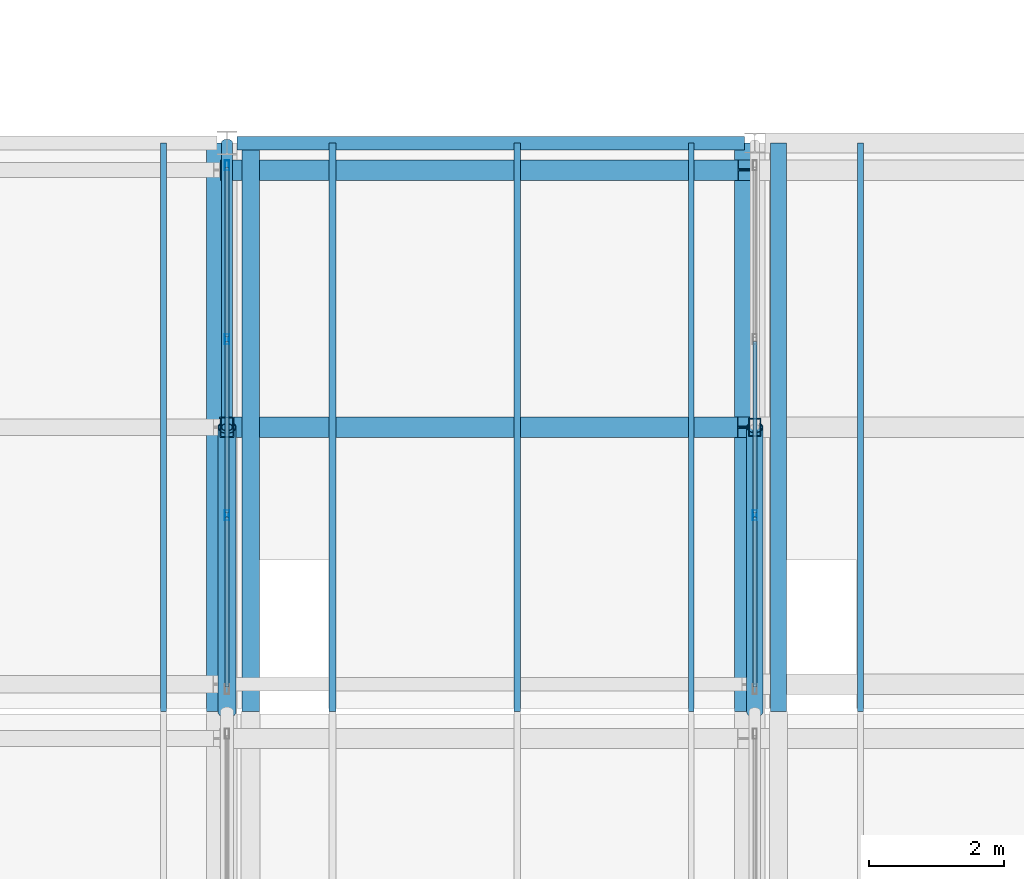
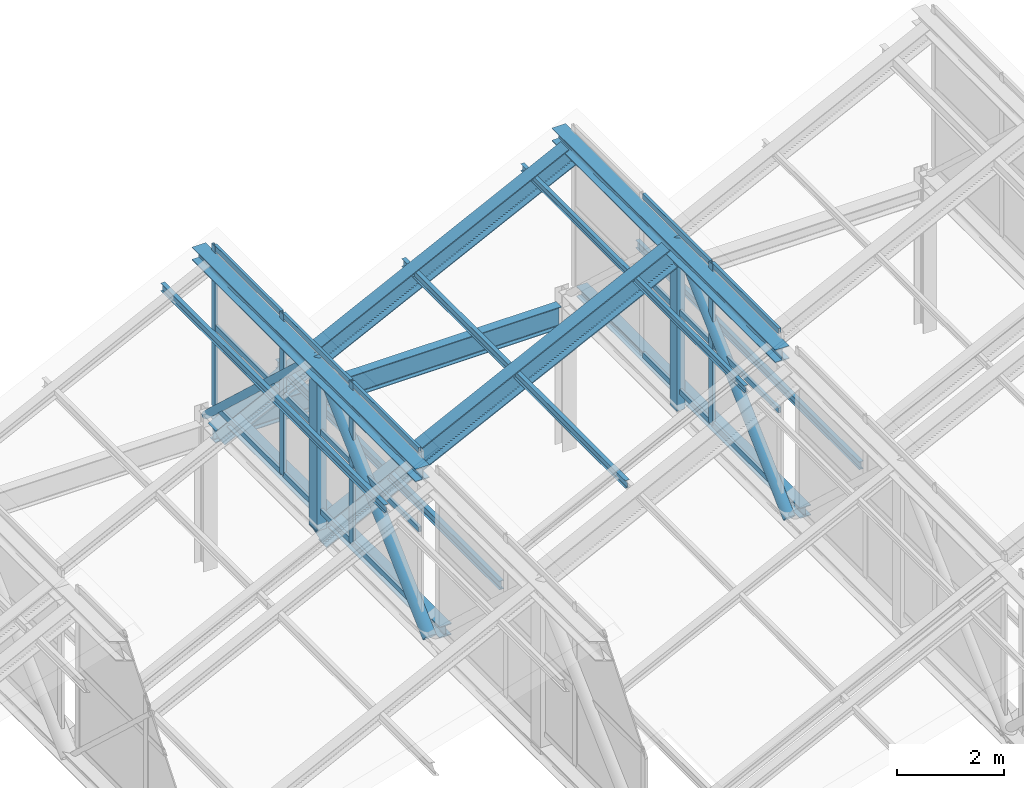
# One storey, part 40 of 101: 35 members, 1 beam, 2 elements without a shape of their own.
"""IFC4 building model written with IfcOpenShell, lengths in metres."""

from ifc_helpers import new_model, si_unit, direction, frame, origin, origin_2d, place, context, subcontext, project, spatial, hollow_rectangle, hollow_circle, i_section, extrude, material, layer, layer_set, material_profile, profile_set, type_object, element, aggregate, save


model = new_model("IFC4")

# Units and contexts
model_context = context("Model", 3, precision=1e-05, world=origin(), true_north=direction((0.0, 1.0)))
body_context = subcontext(model_context, "Body", "Model", "MODEL_VIEW")
ifc_project = project(units=[si_unit("LENGTHUNIT", "METRE"), si_unit("AREAUNIT", "SQUARE_METRE"), si_unit("VOLUMEUNIT", "CUBIC_METRE"), si_unit("PLANEANGLEUNIT", "RADIAN"), si_unit("MASSUNIT", "GRAM", prefix="KILO")], contexts=[model_context])

# Site, building, storey
site_placement = place(None, origin())
site = spatial("IfcSite", under=ifc_project, at=site_placement, CompositionType="ELEMENT")
building_placement = place(site_placement, origin())
building = spatial("IfcBuilding", under=site, at=building_placement, Name="Zizhar Promenade General Hospital", CompositionType="ELEMENT")
storey_placement = place(building_placement, frame((0.0, 0.0, 14.39990234375)))
storey = spatial("IfcBuildingStorey", under=building, at=storey_placement, Name="L03", CompositionType="ELEMENT", Elevation=14.39990234375)

# Beam
ifc_material_1 = material(Name="Steel S355", Category="steel")
ifc_material_profile_1 = material_profile(ifc_material_1, i_section(OverallWidth=0.199951171875, OverallDepth=0.5, WebThickness=0.01025390625, FlangeThickness=0.01611328125, FilletRadius=0.02099609375, at=origin_2d()))
ifc_profile_set_1 = profile_set([ifc_material_profile_1], Name="Steel S355")
beam_type = type_object("IfcBeamType", Name="BM-STL-IPE500", PredefinedType="BEAM", material=ifc_profile_set_1)
beam_placement = place(storey_placement, frame((93.75, 50.39990234375, 3.06005859375), z_axis=(1.0, 0.0, 0.0), x_axis=(0.0, 1.0, 0.0)))
element("IfcBeam", 1, at=beam_placement, inside=storey, type_object=beam_type, Name="Grid Beam X L03 (12-6)", PredefinedType="BEAM", context=body_context, shape_type="SweptSolid", body=[
    extrude(i_section(OverallWidth=0.199951171875, OverallDepth=0.5, WebThickness=0.01025390625, FlangeThickness=0.01611328125, FilletRadius=0.02099609375, at=origin_2d()), origin(), (0.0, 0.0, 1.0), 7.5),
])

# Curtain wall, members
ifc_material_2 = material(Name="Anodised aluminium 6063-T6 and low-E glass", Category="aluminium")
ifc_layer = layer(ifc_material_2, 0.159912109375)
ifc_layer_set = layer_set([ifc_layer], Name="Anodised aluminium 6063-T6 and low-E glass")
curtain_wall_type = type_object("IfcCurtainWallType", Name="CW-SAW-NL3", PredefinedType="NOTDEFINED", material=ifc_layer_set)
curtain_wall_1_placement = place(storey_placement, origin())
curtain_wall_1 = element("IfcCurtainWall", 2, at=curtain_wall_1_placement, inside=storey, type_object=curtain_wall_type, Name="Sawtooth Clerestory Light B3-S3", PredefinedType="NOTDEFINED")
ifc_material_3 = material(Name="Anodised aluminium 6063-T6", Category="aluminium")
ifc_material_profile_2 = material_profile(ifc_material_3, hollow_rectangle(XDim=0.06005859375, YDim=0.14990234375, WallThickness=0.00390625, at=origin_2d()))
ifc_profile_set_2 = profile_set([ifc_material_profile_2], Name="Anodised aluminium 6063-T6")
member_type_1 = type_object("IfcMemberType", Name="CWM-ALU-150x60", PredefinedType="MULLION", material=ifc_profile_set_2)
member_1_placement = place(storey_placement, frame((93.60009765625, 44.89990234375, 3.85009765625), z_axis=(0.0, 0.0, 1.0), x_axis=(-1.0, 0.0, 0.0)))
member_1 = element("IfcMember", 3, at=member_1_placement, type_object=member_type_1, Name="CW-05 mullion 2", PredefinedType="MULLION", context=body_context, shape_type="SweptSolid", body=[
    extrude(hollow_rectangle(XDim=0.06005859375, YDim=0.14990234375, WallThickness=0.00390625, at=origin_2d()), origin(), (0.0, 0.0, 1.0), 3.699951171875),
])
member_2_placement = place(storey_placement, frame((93.60009765625, 47.5, 3.85009765625), z_axis=(0.0, 0.0, 1.0), x_axis=(-1.0, 0.0, 0.0)))
member_2 = element("IfcMember", 4, at=member_2_placement, type_object=member_type_1, Name="CW-05 mullion 3", PredefinedType="MULLION", context=body_context, shape_type="SweptSolid", body=[
    extrude(hollow_rectangle(XDim=0.06005859375, YDim=0.14990234375, WallThickness=0.00390625, at=origin_2d()), origin(), (0.0, 0.0, 1.0), 3.699951171875),
])
member_3_placement = place(storey_placement, frame((93.60009765625, 50.070068359375, 3.85009765625), z_axis=(0.0, 0.0, 1.0), x_axis=(-1.0, 0.0, 0.0)))
member_3 = element("IfcMember", 5, at=member_3_placement, type_object=member_type_1, Name="CW-05 mullion 4", PredefinedType="MULLION", context=body_context, shape_type="SweptSolid", body=[
    extrude(hollow_rectangle(XDim=0.06005859375, YDim=0.14990234375, WallThickness=0.00390625, at=origin_2d()), origin(), (0.0, 0.0, 1.0), 3.699951171875),
])

# Curtain wall, member
curtain_wall_2_placement = place(storey_placement, origin())
curtain_wall_2 = element("IfcCurtainWall", 6, at=curtain_wall_2_placement, inside=storey, type_object=curtain_wall_type, Name="Sawtooth Clerestory Light B4-S3", PredefinedType="NOTDEFINED")
member_4_placement = place(storey_placement, frame((101.39990234375, 44.89990234375, 3.85009765625), z_axis=(0.0, 0.0, 1.0), x_axis=(-1.0, 0.0, 0.0)))
member_4 = element("IfcMember", 7, at=member_4_placement, type_object=member_type_1, Name="CW-05 mullion 2", PredefinedType="MULLION", context=body_context, shape_type="SweptSolid", body=[
    extrude(hollow_rectangle(XDim=0.06005859375, YDim=0.14990234375, WallThickness=0.00390625, at=origin_2d()), origin(), (0.0, 0.0, 1.0), 3.699951171875),
])

# Member
ifc_material_4 = material(Name="Anodised aluminium 6063-T6", Category="aluminium")
ifc_material_profile_3 = material_profile(ifc_material_4, hollow_rectangle(XDim=0.06005859375, YDim=0.1201171875, WallThickness=0.00390625, at=origin_2d()))
ifc_profile_set_3 = profile_set([ifc_material_profile_3], Name="Anodised aluminium 6063-T6")
member_type_2 = type_object("IfcMemberType", Name="CWT-ALU-120x60", PredefinedType="USERDEFINED", material=ifc_profile_set_3)
member_5_placement = place(storey_placement, frame((93.60009765625, 42.360107421875, 3.880126953125), z_axis=(0.0, 1.0, 0.0), x_axis=(-1.0, 0.0, 0.0)))
member_5 = element("IfcMember", 8, at=member_5_placement, type_object=member_type_2, Name="CW-05 transom 1.1", ObjectType="TRANSOM", PredefinedType="USERDEFINED", context=body_context, shape_type="SweptSolid", body=[
    extrude(hollow_rectangle(XDim=0.06005859375, YDim=0.1201171875, WallThickness=0.00390625, at=origin_2d()), origin(), (0.0, 0.0, 1.0), 2.510009765625),
])

member_6_placement = place(storey_placement, frame((93.60009765625, 42.360107421875, 5.7001953125), z_axis=(0.0, 1.0, 0.0), x_axis=(-1.0, 0.0, 0.0)))
member_6 = element("IfcMember", 9, at=member_6_placement, type_object=member_type_2, Name="CW-05 transom 1.2", ObjectType="TRANSOM", PredefinedType="USERDEFINED", context=body_context, shape_type="SweptSolid", body=[
    extrude(hollow_rectangle(XDim=0.06005859375, YDim=0.1201171875, WallThickness=0.00390625, at=origin_2d()), origin(), (0.0, 0.0, 1.0), 2.510009765625),
])

member_7_placement = place(storey_placement, frame((93.60009765625, 42.360107421875, 7.52001953125), z_axis=(0.0, 1.0, 0.0), x_axis=(-1.0, 0.0, 0.0)))
member_7 = element("IfcMember", 10, at=member_7_placement, type_object=member_type_2, Name="CW-05 transom 1.3", ObjectType="TRANSOM", PredefinedType="USERDEFINED", context=body_context, shape_type="SweptSolid", body=[
    extrude(hollow_rectangle(XDim=0.06005859375, YDim=0.1201171875, WallThickness=0.00390625, at=origin_2d()), origin(), (0.0, 0.0, 1.0), 2.510009765625),
])

member_8_placement = place(storey_placement, frame((93.60009765625, 44.929931640625, 3.880126953125), z_axis=(0.0, 1.0, 0.0), x_axis=(-1.0, 0.0, 0.0)))
member_8 = element("IfcMember", 11, at=member_8_placement, type_object=member_type_2, Name="CW-05 transom 2.1", ObjectType="TRANSOM", PredefinedType="USERDEFINED", context=body_context, shape_type="SweptSolid", body=[
    extrude(hollow_rectangle(XDim=0.06005859375, YDim=0.1201171875, WallThickness=0.00390625, at=origin_2d()), origin(), (0.0, 0.0, 1.0), 2.5400390625),
])

member_9_placement = place(storey_placement, frame((93.60009765625, 44.929931640625, 5.7001953125), z_axis=(0.0, 1.0, 0.0), x_axis=(-1.0, 0.0, 0.0)))
member_9 = element("IfcMember", 12, at=member_9_placement, type_object=member_type_2, Name="CW-05 transom 2.2", ObjectType="TRANSOM", PredefinedType="USERDEFINED", context=body_context, shape_type="SweptSolid", body=[
    extrude(hollow_rectangle(XDim=0.06005859375, YDim=0.1201171875, WallThickness=0.00390625, at=origin_2d()), origin(), (0.0, 0.0, 1.0), 2.5400390625),
])

member_10_placement = place(storey_placement, frame((93.60009765625, 44.929931640625, 7.52001953125), z_axis=(0.0, 1.0, 0.0), x_axis=(-1.0, 0.0, 0.0)))
member_10 = element("IfcMember", 13, at=member_10_placement, type_object=member_type_2, Name="CW-05 transom 2.3", ObjectType="TRANSOM", PredefinedType="USERDEFINED", context=body_context, shape_type="SweptSolid", body=[
    extrude(hollow_rectangle(XDim=0.06005859375, YDim=0.1201171875, WallThickness=0.00390625, at=origin_2d()), origin(), (0.0, 0.0, 1.0), 2.5400390625),
])

member_11_placement = place(storey_placement, frame((93.60009765625, 47.530029296875, 3.880126953125), z_axis=(0.0, 1.0, 0.0), x_axis=(-1.0, 0.0, 0.0)))
member_11 = element("IfcMember", 14, at=member_11_placement, type_object=member_type_2, Name="CW-05 transom 3.1", ObjectType="TRANSOM", PredefinedType="USERDEFINED", context=body_context, shape_type="SweptSolid", body=[
    extrude(hollow_rectangle(XDim=0.06005859375, YDim=0.1201171875, WallThickness=0.00390625, at=origin_2d()), origin(), (0.0, 0.0, 1.0), 2.510009765625),
])

member_12_placement = place(storey_placement, frame((93.60009765625, 47.530029296875, 5.7001953125), z_axis=(0.0, 1.0, 0.0), x_axis=(-1.0, 0.0, 0.0)))
member_12 = element("IfcMember", 15, at=member_12_placement, type_object=member_type_2, Name="CW-05 transom 3.2", ObjectType="TRANSOM", PredefinedType="USERDEFINED", context=body_context, shape_type="SweptSolid", body=[
    extrude(hollow_rectangle(XDim=0.06005859375, YDim=0.1201171875, WallThickness=0.00390625, at=origin_2d()), origin(), (0.0, 0.0, 1.0), 2.510009765625),
])

member_13_placement = place(storey_placement, frame((93.60009765625, 47.530029296875, 7.52001953125), z_axis=(0.0, 1.0, 0.0), x_axis=(-1.0, 0.0, 0.0)))
member_13 = element("IfcMember", 16, at=member_13_placement, type_object=member_type_2, Name="CW-05 transom 3.3", ObjectType="TRANSOM", PredefinedType="USERDEFINED", context=body_context, shape_type="SweptSolid", body=[
    extrude(hollow_rectangle(XDim=0.06005859375, YDim=0.1201171875, WallThickness=0.00390625, at=origin_2d()), origin(), (0.0, 0.0, 1.0), 2.510009765625),
])

aggregate(curtain_wall_1, [member_1, member_2, member_3, member_5, member_6, member_7, member_8, member_9, member_10, member_11, member_12, member_13])

member_14_placement = place(storey_placement, frame((101.39990234375, 42.360107421875, 3.880126953125), z_axis=(0.0, 1.0, 0.0), x_axis=(-1.0, 0.0, 0.0)))
member_14 = element("IfcMember", 17, at=member_14_placement, type_object=member_type_2, Name="CW-05 transom 1.1", ObjectType="TRANSOM", PredefinedType="USERDEFINED", context=body_context, shape_type="SweptSolid", body=[
    extrude(hollow_rectangle(XDim=0.06005859375, YDim=0.1201171875, WallThickness=0.00390625, at=origin_2d()), origin(), (0.0, 0.0, 1.0), 2.510009765625),
])

member_15_placement = place(storey_placement, frame((101.39990234375, 42.360107421875, 5.7001953125), z_axis=(0.0, 1.0, 0.0), x_axis=(-1.0, 0.0, 0.0)))
member_15 = element("IfcMember", 18, at=member_15_placement, type_object=member_type_2, Name="CW-05 transom 1.2", ObjectType="TRANSOM", PredefinedType="USERDEFINED", context=body_context, shape_type="SweptSolid", body=[
    extrude(hollow_rectangle(XDim=0.06005859375, YDim=0.1201171875, WallThickness=0.00390625, at=origin_2d()), origin(), (0.0, 0.0, 1.0), 2.510009765625),
])

member_16_placement = place(storey_placement, frame((101.39990234375, 42.360107421875, 7.52001953125), z_axis=(0.0, 1.0, 0.0), x_axis=(-1.0, 0.0, 0.0)))
member_16 = element("IfcMember", 19, at=member_16_placement, type_object=member_type_2, Name="CW-05 transom 1.3", ObjectType="TRANSOM", PredefinedType="USERDEFINED", context=body_context, shape_type="SweptSolid", body=[
    extrude(hollow_rectangle(XDim=0.06005859375, YDim=0.1201171875, WallThickness=0.00390625, at=origin_2d()), origin(), (0.0, 0.0, 1.0), 2.510009765625),
])

member_17_placement = place(storey_placement, frame((101.39990234375, 44.929931640625, 3.880126953125), z_axis=(0.0, 1.0, 0.0), x_axis=(-1.0, 0.0, 0.0)))
member_17 = element("IfcMember", 20, at=member_17_placement, type_object=member_type_2, Name="CW-05 transom 2.1", ObjectType="TRANSOM", PredefinedType="USERDEFINED", context=body_context, shape_type="SweptSolid", body=[
    extrude(hollow_rectangle(XDim=0.06005859375, YDim=0.1201171875, WallThickness=0.00390625, at=origin_2d()), origin(), (0.0, 0.0, 1.0), 2.5400390625),
])

member_18_placement = place(storey_placement, frame((101.39990234375, 44.929931640625, 5.7001953125), z_axis=(0.0, 1.0, 0.0), x_axis=(-1.0, 0.0, 0.0)))
member_18 = element("IfcMember", 21, at=member_18_placement, type_object=member_type_2, Name="CW-05 transom 2.2", ObjectType="TRANSOM", PredefinedType="USERDEFINED", context=body_context, shape_type="SweptSolid", body=[
    extrude(hollow_rectangle(XDim=0.06005859375, YDim=0.1201171875, WallThickness=0.00390625, at=origin_2d()), origin(), (0.0, 0.0, 1.0), 2.5400390625),
])

member_19_placement = place(storey_placement, frame((101.39990234375, 44.929931640625, 7.52001953125), z_axis=(0.0, 1.0, 0.0), x_axis=(-1.0, 0.0, 0.0)))
member_19 = element("IfcMember", 22, at=member_19_placement, type_object=member_type_2, Name="CW-05 transom 2.3", ObjectType="TRANSOM", PredefinedType="USERDEFINED", context=body_context, shape_type="SweptSolid", body=[
    extrude(hollow_rectangle(XDim=0.06005859375, YDim=0.1201171875, WallThickness=0.00390625, at=origin_2d()), origin(), (0.0, 0.0, 1.0), 2.5400390625),
])

aggregate(curtain_wall_2, [member_4, member_14, member_15, member_16, member_17, member_18, member_19])

# Members
ifc_material_5 = material(Name="Steel S355", Category="steel")
ifc_material_profile_4 = material_profile(ifc_material_5, i_section(OverallWidth=0.239990234375, OverallDepth=0.239990234375, WebThickness=0.010009765625, FlangeThickness=0.01708984375, FilletRadius=0.02099609375, at=origin_2d()))
ifc_profile_set_4 = profile_set([ifc_material_profile_4], Name="Steel S355")
member_type_3 = type_object("IfcMemberType", Name="MEM-CHORD-HEB240", PredefinedType="CHORD", material=ifc_profile_set_4)
member_20_placement = place(storey_placement, frame((101.75, 42.0, 3.47021484375), z_axis=(0.0, 1.0, 0.0), x_axis=(-1.0, 0.0, 0.0)))
element("IfcMember", 23, at=member_20_placement, inside=storey, type_object=member_type_3, Name="Sawtooth Bay 5 Valley Tie 3", PredefinedType="CHORD", context=body_context, shape_type="SweptSolid", body=[
    extrude(i_section(OverallWidth=0.239990234375, OverallDepth=0.239990234375, WebThickness=0.010009765625, FlangeThickness=0.01708984375, FilletRadius=0.02099609375, at=origin_2d()), origin(), (0.0, 0.0, 1.0), 8.39990234375),
])
ifc_material_6 = material(Name="Steel S355", Category="steel")
ifc_material_profile_5 = material_profile(ifc_material_6, i_section(OverallWidth=0.260009765625, OverallDepth=0.260009765625, WebThickness=0.010009765625, FlangeThickness=0.017578125, FilletRadius=0.02392578125, at=origin_2d()))
ifc_profile_set_5 = profile_set([ifc_material_profile_5], Name="Steel S355")
member_type_4 = type_object("IfcMemberType", Name="MEM-CHORD-HEB260", PredefinedType="CHORD", material=ifc_profile_set_5)
member_21_placement = place(storey_placement, frame((93.949951171875, 42.0, 3.47021484375), z_axis=(0.0, 1.0, 0.0), x_axis=(-1.0, 0.0, 0.0)))
element("IfcMember", 24, at=member_21_placement, inside=storey, type_object=member_type_4, Name="Sawtooth Bay 4 Valley Tie 3", PredefinedType="CHORD", context=body_context, shape_type="SweptSolid", body=[
    extrude(i_section(OverallWidth=0.260009765625, OverallDepth=0.260009765625, WebThickness=0.010009765625, FlangeThickness=0.017578125, FilletRadius=0.02392578125, at=origin_2d()), origin(), (0.0, 0.0, 1.0), 8.39990234375),
])
ifc_material_7 = material(Name="Steel S355", Category="steel")
ifc_material_profile_6 = material_profile(ifc_material_7, i_section(OverallWidth=0.300048828125, OverallDepth=0.300048828125, WebThickness=0.010986328125, FlangeThickness=0.01904296875, FilletRadius=0.027099609375, at=origin_2d()))
ifc_profile_set_6 = profile_set([ifc_material_profile_6], Name="Steel S355")
member_type_5 = type_object("IfcMemberType", Name="MEM-CHORD-HEB300", PredefinedType="CHORD", material=ifc_profile_set_6)
for number, where, z_axis, x_axis, name in (
    (25, (93.449951171875, 42.0, 7.25), (0.0, 1.0, 0.0), (-1.0, 0.0, 0.0), "Sawtooth Bay 3 Ridge Chord 3"),
    (26, (101.25, 42.0, 7.25), (0.0, 1.0, 0.0), (-1.0, 0.0, 0.0), "Sawtooth Bay 4 Ridge Chord 3"),
):
    element("IfcMember", number, at=place(storey_placement, frame(where, z_axis=z_axis, x_axis=x_axis)), inside=storey, type_object=member_type_5, Name=name, PredefinedType="CHORD", context=body_context, shape_type="SweptSolid", body=[
        extrude(i_section(OverallWidth=0.300048828125, OverallDepth=0.300048828125, WebThickness=0.010986328125, FlangeThickness=0.01904296875, FilletRadius=0.027099609375, at=origin_2d()), origin(), (0.0, 0.0, 1.0), 8.39990234375),
    ])
ifc_material_8 = material(Name="Steel S355", Category="steel")
ifc_material_profile_7 = material_profile(ifc_material_8, hollow_circle(Radius=0.084228515625, WallThickness=0.008056640625, at=origin_2d()))
ifc_profile_set_7 = profile_set([ifc_material_profile_7], Name="Steel S355")
member_type_6 = type_object("IfcMemberType", Name="MEM-DIAG-CHS168", PredefinedType="BRACE", material=ifc_profile_set_7)
member_22_placement = place(storey_placement, frame((93.60009765625, 50.39990234375, 3.4501953125), z_axis=(0.0, -0.732798043082, 0.680446197767), x_axis=(1.0, 0.0, 0.0)))
element("IfcMember", 27, at=member_22_placement, inside=storey, type_object=member_type_6, Name="Sawtooth Truss Frame 4 Diagonal B3", PredefinedType="BRACE", context=body_context, shape_type="SweptSolid", body=[
    extrude(hollow_circle(Radius=0.084228515625, WallThickness=0.008056640625, at=origin_2d()), origin(), (0.0, 0.0, 1.0), 5.7314453125),
])
ifc_material_9 = material(Name="Steel S355", Category="steel")
ifc_material_profile_8 = material_profile(ifc_material_9, hollow_circle(Radius=0.122314453125, WallThickness=0.010009765625, at=origin_2d()))
ifc_profile_set_8 = profile_set([ifc_material_profile_8], Name="Steel S355")
member_type_7 = type_object("IfcMemberType", Name="MEM-DIAG-CHS245", PredefinedType="BRACE", material=ifc_profile_set_8)
member_23_placement = place(storey_placement, frame((101.39990234375, 42.0, 3.4501953125), z_axis=(0.0, 0.732798043082, 0.680446197767), x_axis=(-1.0, 0.0, 0.0)))
element("IfcMember", 28, at=member_23_placement, inside=storey, type_object=member_type_7, Name="Sawtooth Truss Frame 5 Diagonal A3", PredefinedType="BRACE", context=body_context, shape_type="SweptSolid", body=[
    extrude(hollow_circle(Radius=0.122314453125, WallThickness=0.010009765625, at=origin_2d()), origin(), (0.0, 0.0, 1.0), 5.7314453125),
])
ifc_material_10 = material(Name="Steel S355", Category="steel")
ifc_material_profile_9 = material_profile(ifc_material_10, hollow_circle(Radius=0.136474609375, WallThickness=0.010009765625, at=origin_2d()))
ifc_profile_set_9 = profile_set([ifc_material_profile_9], Name="Steel S355")
member_type_8 = type_object("IfcMemberType", Name="MEM-DIAG-CHS273", PredefinedType="BRACE", material=ifc_profile_set_9)
member_24_placement = place(storey_placement, frame((93.60009765625, 42.0, 3.4501953125), z_axis=(0.0, 0.732798043082, 0.680446197767), x_axis=(-1.0, 0.0, 0.0)))
element("IfcMember", 29, at=member_24_placement, inside=storey, type_object=member_type_8, Name="Sawtooth Truss Frame 4 Diagonal A3", PredefinedType="BRACE", context=body_context, shape_type="SweptSolid", body=[
    extrude(hollow_circle(Radius=0.136474609375, WallThickness=0.010009765625, at=origin_2d()), origin(), (0.0, 0.0, 1.0), 5.7314453125),
])
ifc_material_11 = material(Name="Steel S355", Category="steel")
ifc_material_profile_10 = material_profile(ifc_material_11, i_section(OverallWidth=0.08203125, OverallDepth=0.159912109375, WebThickness=0.0048828125, FlangeThickness=0.00732421875, FilletRadius=0.009033203125, at=origin_2d()))
ifc_profile_set_10 = profile_set([ifc_material_profile_10], Name="Steel S355")
member_type_9 = type_object("IfcMemberType", Name="MEM-PURL-IPE160", PredefinedType="PURLIN", material=ifc_profile_set_10)
member_25_placement = place(storey_placement, frame((100.464111328125, 42.0, 6.735107421875), z_axis=(0.0, 1.0, 0.0), x_axis=(-1.0, 0.0, 0.0)))
element("IfcMember", 30, at=member_25_placement, inside=storey, type_object=member_type_9, Name="Sawtooth Bay 4 Purlin 3-3", PredefinedType="PURLIN", context=body_context, shape_type="SweptSolid", body=[
    extrude(i_section(OverallWidth=0.08203125, OverallDepth=0.159912109375, WebThickness=0.0048828125, FlangeThickness=0.00732421875, FilletRadius=0.009033203125, at=origin_2d()), origin(), (0.0, 0.0, 1.0), 8.39990234375),
])
ifc_material_12 = material(Name="Steel S355", Category="steel")
ifc_material_profile_11 = material_profile(ifc_material_12, i_section(OverallWidth=0.091064453125, OverallDepth=0.179931640625, WebThickness=0.00537109375, FlangeThickness=0.008056640625, FilletRadius=0.009033203125, at=origin_2d()))
ifc_profile_set_11 = profile_set([ifc_material_profile_11], Name="Steel S355")
member_type_10 = type_object("IfcMemberType", Name="MEM-PURL-IPE180", PredefinedType="PURLIN", material=ifc_profile_set_11)
for number, where, z_axis, x_axis, name in (
    (31, (92.6640625, 42.0, 6.72509765625), (0.0, 1.0, 0.0), (-1.0, 0.0, 0.0), "Sawtooth Bay 3 Purlin 3-3"),
    (32, (97.889892578125, 42.0, 5.45458984375), (0.0, 1.0, 0.0), (-1.0, 0.0, 0.0), "Sawtooth Bay 4 Purlin 3-2"),
    (33, (102.9599609375, 42.0, 4.107177734375), (0.0, 1.0, 0.0), (-1.0, 0.0, 0.0), "Sawtooth Bay 5 Purlin 3-1"),
):
    element("IfcMember", number, at=place(storey_placement, frame(where, z_axis=z_axis, x_axis=x_axis)), inside=storey, type_object=member_type_10, Name=name, PredefinedType="PURLIN", context=body_context, shape_type="SweptSolid", body=[
        extrude(i_section(OverallWidth=0.091064453125, OverallDepth=0.179931640625, WebThickness=0.00537109375, FlangeThickness=0.008056640625, FilletRadius=0.009033203125, at=origin_2d()), origin(), (0.0, 0.0, 1.0), 8.39990234375),
    ])
ifc_material_13 = material(Name="Steel S355", Category="steel")
ifc_material_profile_12 = material_profile(ifc_material_13, i_section(OverallWidth=0.10009765625, OverallDepth=0.199951171875, WebThickness=0.005615234375, FlangeThickness=0.008544921875, FilletRadius=0.011962890625, at=origin_2d()))
ifc_profile_set_12 = profile_set([ifc_material_profile_12], Name="Steel S355")
member_type_11 = type_object("IfcMemberType", Name="MEM-PURL-IPE200", PredefinedType="PURLIN", material=ifc_profile_set_12)
member_26_placement = place(storey_placement, frame((95.159912109375, 42.0, 4.09716796875), z_axis=(0.0, 1.0, 0.0), x_axis=(-1.0, 0.0, 0.0)))
element("IfcMember", 34, at=member_26_placement, inside=storey, type_object=member_type_11, Name="Sawtooth Bay 4 Purlin 3-1", PredefinedType="PURLIN", context=body_context, shape_type="SweptSolid", body=[
    extrude(i_section(OverallWidth=0.10009765625, OverallDepth=0.199951171875, WebThickness=0.005615234375, FlangeThickness=0.008544921875, FilletRadius=0.011962890625, at=origin_2d()), origin(), (0.0, 0.0, 1.0), 8.39990234375),
])
ifc_material_14 = material(Name="Steel S355", Category="steel")
ifc_material_profile_13 = material_profile(ifc_material_14, i_section(OverallWidth=0.300048828125, OverallDepth=0.43994140625, WebThickness=0.011474609375, FlangeThickness=0.02099609375, FilletRadius=0.027099609375, at=origin_2d()))
ifc_profile_set_13 = profile_set([ifc_material_profile_13], Name="Steel S355")
member_type_12 = type_object("IfcMemberType", Name="MEM-RAFT-HEA450", PredefinedType="RAFTER", material=ifc_profile_set_13)
member_27_placement = place(storey_placement, frame((93.60009765625, 50.0, 3.247802734375), z_axis=(0.896704881356, 0.0, 0.442628914276), x_axis=(0.0, 1.0, 0.0)))
element("IfcMember", 35, at=member_27_placement, inside=storey, type_object=member_type_12, Name="Sawtooth Bay 4 Rafter 3-3", PredefinedType="RAFTER", context=body_context, shape_type="SweptSolid", body=[
    extrude(i_section(OverallWidth=0.300048828125, OverallDepth=0.43994140625, WebThickness=0.011474609375, FlangeThickness=0.02099609375, FilletRadius=0.027099609375, at=origin_2d()), origin(), (0.0, 0.0, 1.0), 8.531005859375),
])
ifc_material_15 = material(Name="Steel S355", Category="steel")
ifc_material_profile_14 = material_profile(ifc_material_15, i_section(OverallWidth=0.300048828125, OverallDepth=0.489990234375, WebThickness=0.011962890625, FlangeThickness=0.02294921875, FilletRadius=0.027099609375, at=origin_2d()))
ifc_profile_set_14 = profile_set([ifc_material_profile_14], Name="Steel S355")
member_type_13 = type_object("IfcMemberType", Name="MEM-RAFT-HEA500", PredefinedType="RAFTER", material=ifc_profile_set_14)
member_28_placement = place(storey_placement, frame((93.60009765625, 46.199951171875, 3.219970703125), z_axis=(0.896704881356, 0.0, 0.442628914276), x_axis=(0.0, 1.0, 0.0)))
element("IfcMember", 36, at=member_28_placement, inside=storey, type_object=member_type_13, Name="Sawtooth Bay 4 Rafter 3-2", PredefinedType="RAFTER", context=body_context, shape_type="SweptSolid", body=[
    extrude(i_section(OverallWidth=0.300048828125, OverallDepth=0.489990234375, WebThickness=0.011962890625, FlangeThickness=0.02294921875, FilletRadius=0.027099609375, at=origin_2d()), origin(), (0.0, 0.0, 1.0), 8.531005859375),
])
ifc_material_16 = material(Name="Steel S355", Category="steel")
ifc_material_profile_15 = material_profile(ifc_material_16, hollow_rectangle(XDim=0.179931640625, YDim=0.260009765625, WallThickness=0.008056640625, at=origin_2d()))
ifc_profile_set_15 = profile_set([ifc_material_profile_15], Name="Steel S355")
member_type_14 = type_object("IfcMemberType", Name="MEM-STRUT-RHS260", PredefinedType="STRUT", material=ifc_profile_set_15)
member_29_placement = place(storey_placement, frame((101.39990234375, 46.199951171875, 3.4501953125), z_axis=(0.0, 0.0, 1.0), x_axis=(1.0, 0.0, 0.0)))
element("IfcMember", 37, at=member_29_placement, inside=storey, type_object=member_type_14, Name="Sawtooth Truss Frame 5 Vertical Post 3", PredefinedType="STRUT", context=body_context, shape_type="SweptSolid", body=[
    extrude(hollow_rectangle(XDim=0.179931640625, YDim=0.260009765625, WallThickness=0.008056640625, at=origin_2d()), origin(), (0.0, 0.0, 1.0), 3.89990234375),
])
ifc_material_17 = material(Name="Steel S355", Category="steel")
ifc_material_profile_16 = material_profile(ifc_material_17, hollow_rectangle(XDim=0.199951171875, YDim=0.300048828125, WallThickness=0.010009765625, at=origin_2d()))
ifc_profile_set_16 = profile_set([ifc_material_profile_16], Name="Steel S355")
member_type_15 = type_object("IfcMemberType", Name="MEM-STRUT-RHS300", PredefinedType="STRUT", material=ifc_profile_set_16)
member_30_placement = place(storey_placement, frame((93.60009765625, 46.199951171875, 3.4501953125), z_axis=(0.0, 0.0, 1.0), x_axis=(1.0, 0.0, 0.0)))
element("IfcMember", 38, at=member_30_placement, inside=storey, type_object=member_type_15, Name="Sawtooth Truss Frame 4 Vertical Post 3", PredefinedType="STRUT", context=body_context, shape_type="SweptSolid", body=[
    extrude(hollow_rectangle(XDim=0.199951171875, YDim=0.300048828125, WallThickness=0.010009765625, at=origin_2d()), origin(), (0.0, 0.0, 1.0), 3.89990234375),
])

save(model, "model.ifc")
